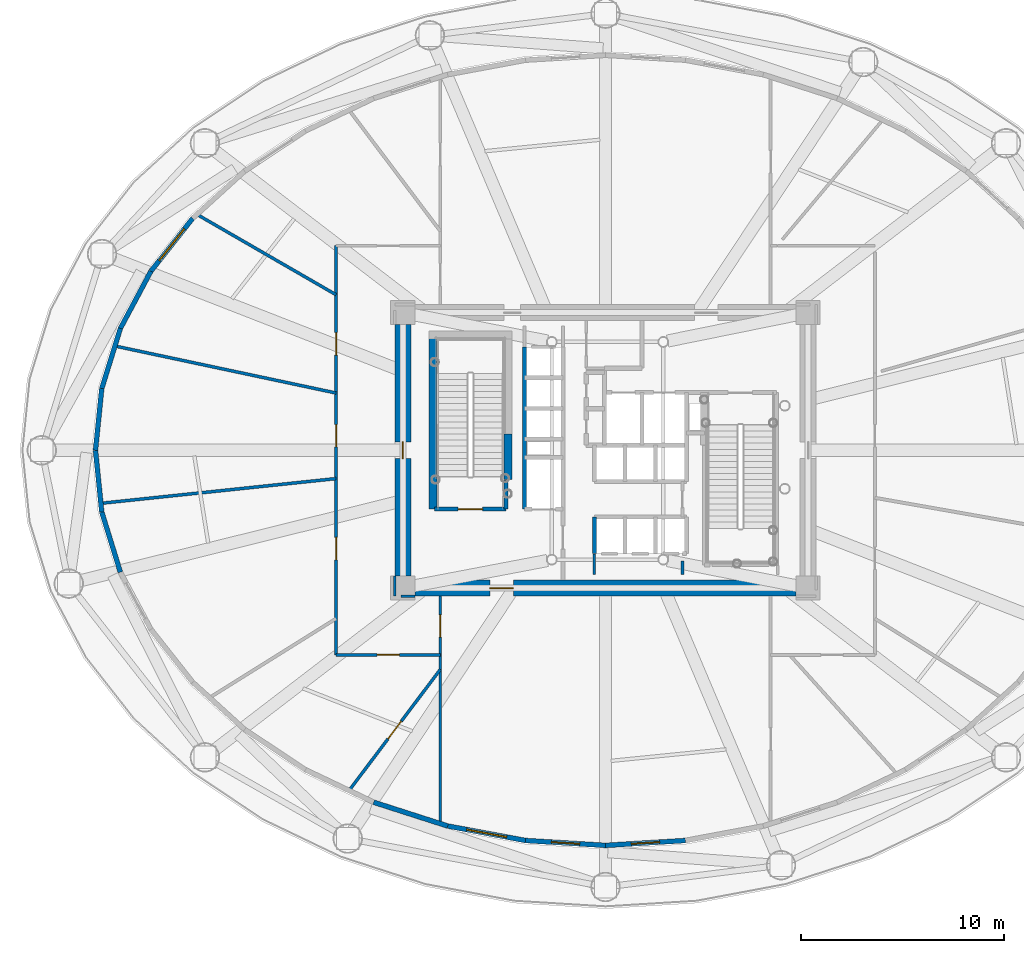
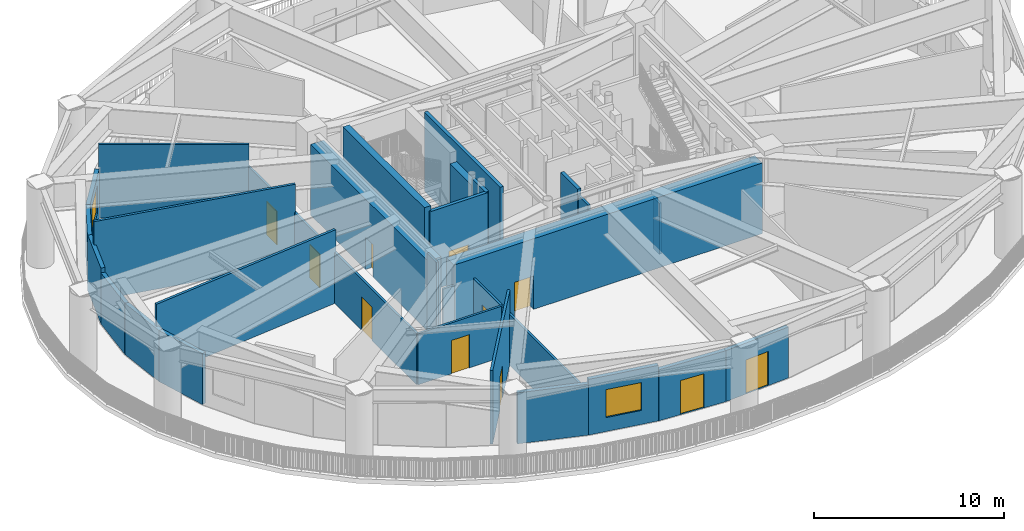
# One storey, part 5 of 15: 29 walls, 11 doors, 2 windows, 13 openings.
"""IFC4 building model written with IfcOpenShell, lengths in metres."""

import ifcopenshell
import ifcopenshell.guid

model = None  # the IFC model being written
_history = None  # IfcOwnerHistory: only IFC2X3 demands one
_inside = {}  # id of a spatial element -> (the spatial element, [elements in it])
_under = {}  # id of a project, library or spatial element -> (it, [spatial elements below it])
_declared = {}  # id of a project -> (the project, [libraries it declares])
_typed = {}  # id of a type object -> (the type object, [elements of that type])
_made_of = {}  # id of a material, layer set ... -> (it, [elements and type objects made of it])


def new_model(schema):
    """Start an empty IFC model of exactly this schema.

    Asked for "IFC4X3", IfcOpenShell would pick the latest addendum, in which some entities
    have other attributes; the version numbers below select the first issue.
    IFC2X3 requires an IfcOwnerHistory on every rooted entity: one is made here for all.
    """
    global model, _history
    if schema == "IFC4X3":
        model = ifcopenshell.file(schema_version=(4, 3, 0, 0))
    else:
        model = ifcopenshell.file(schema=schema)
    _inside.clear()
    _under.clear()
    _declared.clear()
    _typed.clear()
    _made_of.clear()
    _history = None
    if model.schema == "IFC2X3":
        org = make("IfcOrganization", Name="unknown")
        user = make(
            "IfcPersonAndOrganization",
            ThePerson=make("IfcPerson", FamilyName="unknown"),
            TheOrganization=org,
        )
        app = make(
            "IfcApplication",
            ApplicationDeveloper=org,
            Version="unknown",
            ApplicationFullName="unknown",
            ApplicationIdentifier="unknown",
        )
        _history = make(
            "IfcOwnerHistory",
            OwningUser=user,
            OwningApplication=app,
            ChangeAction="ADDED",
            CreationDate=0,
        )
    return model


def make(cls, **values):
    """One entity of the class cls with the attributes given. An attribute that is None is left unset."""
    return model.create_entity(
        cls, **{name: value for name, value in values.items() if value is not None}
    )


def rooted(cls, **values):
    """An entity with a GlobalId (a new one), such as an element, a storey or a relation."""
    return make(cls, GlobalId=ifcopenshell.guid.new(), OwnerHistory=_history, **values)


def si_unit(unit_type, name, prefix=None):
    """IfcSIUnit, for example si_unit("LENGTHUNIT", "METRE", prefix="MILLI")."""
    return make("IfcSIUnit", UnitType=unit_type, Prefix=prefix, Name=name)


def assignment(units):
    """IfcUnitAssignment: the units of a project."""
    return None if units is None else make("IfcUnitAssignment", Units=units)


def point(xyz):
    """IfcCartesianPoint."""
    return None if xyz is None else make("IfcCartesianPoint", Coordinates=xyz)


def direction(xyz):
    """IfcDirection."""
    return None if xyz is None else make("IfcDirection", DirectionRatios=xyz)


def frame(location, z_axis=None, x_axis=None):
    """IfcAxis2Placement3D, a coordinate frame: its origin and axes. An axis left out is left unset."""
    return make(
        "IfcAxis2Placement3D",
        Location=point(location),
        Axis=direction(z_axis),
        RefDirection=direction(x_axis),
    )


def frame_2d(location, x_axis=None):
    """IfcAxis2Placement2D, a coordinate frame in the plane: its origin and x axis."""
    return make(
        "IfcAxis2Placement2D", Location=point(location), RefDirection=direction(x_axis)
    )


def origin():
    """The frame at (0, 0, 0) with its axes left unset."""
    return frame((0.0, 0.0, 0.0))


def origin_2d():
    """The frame at (0, 0) in the plane with its x axis left unset."""
    return frame_2d((0.0, 0.0))


def place(relative_to, where):
    """IfcLocalPlacement: puts the frame where relative to a parent placement (None: the world)."""
    return make(
        "IfcLocalPlacement", PlacementRelTo=relative_to, RelativePlacement=where
    )


def context(
    kind, dimensions, precision=None, world=None, true_north=None, identifier=None
):
    """IfcGeometricRepresentationContext, for example the 3D "Model" context."""
    return make(
        "IfcGeometricRepresentationContext",
        ContextIdentifier=identifier,
        ContextType=kind,
        CoordinateSpaceDimension=dimensions,
        Precision=precision,
        WorldCoordinateSystem=world,
        TrueNorth=true_north,
    )


def subcontext(parent, identifier, kind, view, scale=None):
    """IfcGeometricRepresentationSubContext, for example "Body" below "Model"."""
    return make(
        "IfcGeometricRepresentationSubContext",
        ContextIdentifier=identifier,
        ContextType=kind,
        ParentContext=parent,
        TargetScale=scale,
        TargetView=view,
    )


def project(units=None, contexts=None):
    """IfcProject with its units and contexts."""
    return rooted(
        "IfcProject",
        Name="project",
        RepresentationContexts=contexts,
        UnitsInContext=assignment(units),
    )


def spatial(cls, under=None, at=None, **own):
    """A site, building, storey or space (cls), placed at a placement, below another one or the project."""
    s = rooted(cls, ObjectPlacement=at, **own)
    if under is not None:
        _under.setdefault(under.id(), (under, []))[1].append(s)
    return s


def profile(cls, at=None, kind="AREA", **sizes):
    """A parametric profile (cls). Its sizes go by their IFC names, for example OverallWidth=200.0."""
    return make(cls, ProfileType=kind, Position=at, **sizes)


def rectangle(**sizes):
    """IfcRectangleProfileDef."""
    return profile("IfcRectangleProfileDef", **sizes)


def extrude(swept, where, along, depth):
    """IfcExtrudedAreaSolid: the profile swept, set in the frame where, extruded along a direction by depth."""
    return make(
        "IfcExtrudedAreaSolid",
        SweptArea=swept,
        Position=where,
        ExtrudedDirection=direction(along),
        Depth=depth,
    )


def shape(context_of_items, identifier, shape_type, items):
    """IfcShapeRepresentation: the items that make up one representation, for example the "Body"."""
    return make(
        "IfcShapeRepresentation",
        ContextOfItems=context_of_items,
        RepresentationIdentifier=identifier,
        RepresentationType=shape_type,
        Items=items,
    )


def source(mapping_origin, context_of_items, identifier, shape_type, items):
    """IfcRepresentationMap: a shape defined once, which mapped items show again and again."""
    return make(
        "IfcRepresentationMap",
        MappingOrigin=mapping_origin,
        MappedRepresentation=shape(context_of_items, identifier, shape_type, items),
    )


def transform(
    local_origin,
    x_axis=None,
    y_axis=None,
    z_axis=None,
    scale=None,
    scale2=None,
    scale3=None,
    uniform=True,
):
    """IfcCartesianTransformationOperator3D, or its non-uniform kind. x_axis, y_axis, z_axis: its Axis1, 2, 3."""
    if uniform:
        return make(
            "IfcCartesianTransformationOperator3D",
            Axis1=direction(x_axis),
            Axis2=direction(y_axis),
            LocalOrigin=point(local_origin),
            Scale=scale,
            Axis3=direction(z_axis),
        )
    return make(
        "IfcCartesianTransformationOperator3DnonUniform",
        Axis1=direction(x_axis),
        Axis2=direction(y_axis),
        LocalOrigin=point(local_origin),
        Scale=scale,
        Axis3=direction(z_axis),
        Scale2=scale2,
        Scale3=scale3,
    )


def mapped(mapping_source, mapping_target):
    """IfcMappedItem: shows the shape of a source again, moved by a transform."""
    return make(
        "IfcMappedItem", MappingSource=mapping_source, MappingTarget=mapping_target
    )


def material(Name=None, Category=None):
    """IfcMaterial."""
    return make("IfcMaterial", Name=Name, Category=Category)


def layer(
    of_material, thickness, ventilated=None, Name=None, Category=None, Priority=None
):
    """IfcMaterialLayer: one layer of a wall or slab, of a material (None: an air gap)."""
    return make(
        "IfcMaterialLayer",
        Material=of_material,
        LayerThickness=thickness,
        IsVentilated=ventilated,
        Name=Name,
        Category=Category,
        Priority=Priority,
    )


def layer_set(layers, Name=None):
    """IfcMaterialLayerSet."""
    return make("IfcMaterialLayerSet", MaterialLayers=layers, LayerSetName=Name)


def made_of(thing, what):
    """Note that an element or type object is made of a material, layer set ...; save() writes the relation."""
    if what is not None:
        _made_of.setdefault(what.id(), (what, []))[1].append(thing)
    return thing


def type_object(cls, material=None, **own):
    """A type object (cls), such as IfcWallType, which elements share."""
    return made_of(rooted(cls, **own), material)


def element(
    cls,
    number,
    at=None,
    inside=None,
    cuts=None,
    type_object=None,
    material=None,
    context=None,
    identifier="Body",
    shape_type=None,
    held_by="IfcProductDefinitionShape",
    body=None,
    shapes=None,
    **own,
):
    """One element of the class cls, such as IfcWall. Its Tag is "e" and its number.

    at: its placement. inside: the storey or other place that contains it. cuts: it is an
    opening in that element (IfcRelVoidsElement). A single representation is given by context,
    identifier, shape_type and body (its items); several are given by shapes. held_by: the class
    of the entity that holds the representations. save() writes the other relations.
    """
    e = rooted(cls, Tag="e%d" % number, ObjectPlacement=at, **own)
    if body is not None:
        shapes = [shape(context, identifier, shape_type, body)]
    if shapes is not None:
        e.Representation = make(held_by, Representations=shapes)
    if inside is not None:
        _inside.setdefault(inside.id(), (inside, []))[1].append(e)
    if cuts is not None:
        rooted(
            "IfcRelVoidsElement", RelatingBuildingElement=cuts, RelatedOpeningElement=e
        )
    if type_object is not None:
        _typed.setdefault(type_object.id(), (type_object, []))[1].append(e)
    return made_of(e, material)


def fill(opening, filler):
    """IfcRelFillsElement: the door or window that sits in an opening."""
    return rooted(
        "IfcRelFillsElement",
        RelatingOpeningElement=opening,
        RelatedBuildingElement=filler,
    )


def aggregate(whole, parts):
    """IfcRelAggregates: a whole, such as a stair, and the parts it consists of."""
    return rooted("IfcRelAggregates", RelatingObject=whole, RelatedObjects=parts)


def save(model, path):
    """Write the relations noted so far, then the file.

    IfcRelAggregates (storeys below a building ...), IfcRelContainedInSpatialStructure (elements
    in a storey), IfcRelDefinesByType, IfcRelAssociatesMaterial and IfcRelDeclares: one each for
    every whole, place, type object, material and project.
    """
    for whole, parts in _under.values():
        aggregate(whole, parts)
    for where, things in _inside.values():
        rooted(
            "IfcRelContainedInSpatialStructure",
            RelatedElements=things,
            RelatingStructure=where,
        )
    for kind, things in _typed.values():
        rooted("IfcRelDefinesByType", RelatedObjects=things, RelatingType=kind)
    for what, things in _made_of.values():
        rooted("IfcRelAssociatesMaterial", RelatedObjects=things, RelatingMaterial=what)
    for by, libraries in _declared.values():
        rooted("IfcRelDeclares", RelatingContext=by, RelatedDefinitions=libraries)
    model.write(path)


model = new_model("IFC4")

# Units and contexts
model_context = context("Model", 3, precision=1e-05, world=origin(), true_north=direction((0.0, 1.0)))
body_context = subcontext(model_context, "Body", "Model", "MODEL_VIEW")
ifc_project = project(units=[si_unit("LENGTHUNIT", "METRE"), si_unit("AREAUNIT", "SQUARE_METRE"), si_unit("VOLUMEUNIT", "CUBIC_METRE"), si_unit("PLANEANGLEUNIT", "RADIAN"), si_unit("MASSUNIT", "GRAM", prefix="KILO")], contexts=[model_context])

# Site, building, storey
site_placement = place(None, origin())
site = spatial("IfcSite", under=ifc_project, at=site_placement, CompositionType="ELEMENT")
building_placement = place(site_placement, origin())
building = spatial("IfcBuilding", under=site, at=building_placement, Name="Linh Dai School and Residence Tower", CompositionType="ELEMENT")
storey_placement = place(building_placement, frame((0.0, 0.0, 145.949951171875)))
storey = spatial("IfcBuildingStorey", under=building, at=storey_placement, Name="L35", CompositionType="ELEMENT", Elevation=145.949951171875)

# Wall, opening, window
ifc_material_1 = material(Name="Precast Concrete B45 (C35/45)", Category="concrete")
ifc_layer_1 = layer(ifc_material_1, 0.239990234375)
ifc_layer_set_1 = layer_set([ifc_layer_1], Name="Precast Concrete B45 (C35/45)")
wall_type_1 = type_object("IfcWallType", Name="EW-TC-240", PredefinedType="SOLIDWALL", material=ifc_layer_set_1)
wall_1_placement = place(storey_placement, frame((13.56201171875, 35.84326171875, 0.0), z_axis=(0.0, 0.0, 1.0), x_axis=(0.619794245312, 0.784764355382, 0.0)))
wall_1 = element("IfcWall", 1, at=wall_1_placement, inside=storey, type_object=wall_type_1, Name="L35 Terracotta Exterior Wall 17", PredefinedType="SOLIDWALL", context=body_context, shape_type="SweptSolid", body=[
    extrude(rectangle(XDim=3.325439453125, YDim=0.239990234375, at=frame_2d((1.66259765625, 0.0))), origin(), (0.0, 0.0, 1.0), 3.28515625),
])
opening_1_placement = place(wall_1_placement, frame((0.66259765625, 0.0, 0.89990234375)))
opening_1 = element("IfcOpeningElement", 2, at=opening_1_placement, cuts=wall_1, Name="Opening W5", PredefinedType="OPENING", context=body_context, shape_type="SweptSolid", body=[
    extrude(rectangle(XDim=2.0, YDim=1.800048828125, at=origin_2d()), frame((1.0, 0.1298828125, 0.89990234375), z_axis=(0.0, -1.0, 0.0), x_axis=(1.0, 0.0, 0.0)), (0.0, 0.0, 1.0), 0.260009765625),
])
ifc_material_2 = material(Name="Anodised Aluminium Weather Louvre", Category="aluminium")
window_type = type_object("IfcWindowType", Name="WN-LV-2000x1800", PartitioningType="SINGLE_PANEL", PredefinedType="USERDEFINED", material=ifc_material_2)
shared_shape_1 = source(origin(), body_context, "Body", "SweptSolid", [
    extrude(rectangle(XDim=2.0, YDim=1.800048828125, at=origin_2d()), frame((1.0, 0.030029296875, 0.89990234375), z_axis=(0.0, -1.0, 0.0), x_axis=(1.0, 0.0, 0.0)), (0.0, 0.0, 1.0), 0.06005859375),
])
window_1_placement = place(opening_1_placement, origin())
window_1 = element("IfcWindow", 3, at=window_1_placement, inside=storey, type_object=window_type, Name="L35 Plant Weather Louvre 17", ObjectType="LOUVRE VENT", OverallHeight=1.800048828125, OverallWidth=2.0, PartitioningType="SINGLE_PANEL", PredefinedType="USERDEFINED", context=body_context, shape_type="MappedRepresentation", body=[
    mapped(shared_shape_1, transform((0.0, 0.0, 0.0), x_axis=(1.0, 0.0, 0.0), y_axis=(0.0, 1.0, 0.0), z_axis=(0.0, 0.0, 1.0), scale=1.0)),
])
fill(opening_1, window_1)

# Walls
wall_2_placement = place(storey_placement, frame((12.053466796875, 33.017822265625, 0.0), z_axis=(0.0, 0.0, 1.0), x_axis=(0.470987769323, 0.882139740148, 0.0)))
element("IfcWall", 4, at=wall_2_placement, inside=storey, type_object=wall_type_1, Name="L35 Terracotta Exterior Wall 18", PredefinedType="SOLIDWALL", context=body_context, shape_type="SweptSolid", body=[
    extrude(rectangle(XDim=3.202880859375, YDim=0.239990234375, at=frame_2d((1.6015625, 0.0))), origin(), (0.0, 0.0, 1.0), 3.28515625),
])
wall_3_placement = place(storey_placement, frame((11.134033203125, 30.0458984375, 0.0), z_axis=(0.0, 0.0, 1.0), x_axis=(0.295552425989, 0.955326521924, 0.0)))
element("IfcWall", 5, at=wall_3_placement, inside=storey, type_object=wall_type_1, Name="L35 Terracotta Exterior Wall 19", PredefinedType="SOLIDWALL", context=body_context, shape_type="SweptSolid", body=[
    extrude(rectangle(XDim=3.11083984375, YDim=0.239990234375, at=frame_2d((1.555419921875, 0.0))), origin(), (0.0, 0.0, 1.0), 3.5849609375),
])
for number, where, z_axis, x_axis, name in (
    (6, (10.824951171875, 27.0, 0.0), (0.0, 0.0, 1.0), (0.100956381824, 0.994890852792, 0.0), "L35 Terracotta Exterior Wall 20"),
    (7, (11.134033203125, 23.9541015625, 0.0), (0.0, 0.0, 1.0), (-0.100956381824, 0.994890852792, 0.0), "L35 Terracotta Exterior Wall 21"),
):
    element("IfcWall", number, at=place(storey_placement, frame(where, z_axis=z_axis, x_axis=x_axis)), inside=storey, type_object=wall_type_1, Name=name, PredefinedType="SOLIDWALL", context=body_context, shape_type="SweptSolid", body=[
        extrude(rectangle(XDim=3.0615234375, YDim=0.239990234375, at=frame_2d((1.53076171875, 0.0))), origin(), (0.0, 0.0, 1.0), 3.28515625),
    ])
wall_4_placement = place(storey_placement, frame((12.053466796875, 20.982177734375, 0.0), z_axis=(0.0, 0.0, 1.0), x_axis=(-0.295552425989, 0.955326521924, 0.0)))
element("IfcWall", 8, at=wall_4_placement, inside=storey, type_object=wall_type_1, Name="L35 Terracotta Exterior Wall 22", PredefinedType="SOLIDWALL", context=body_context, shape_type="SweptSolid", body=[
    extrude(rectangle(XDim=3.11083984375, YDim=0.239990234375, at=frame_2d((1.555419921875, 0.0))), origin(), (0.0, 0.0, 1.0), 3.28515625),
])
wall_5_placement = place(storey_placement, frame((28.21240234375, 8.451904296875, 0.0), z_axis=(0.0, 0.0, 1.0), x_axis=(-0.95203915495, 0.305976220388, 0.0)))
element("IfcWall", 9, at=wall_5_placement, inside=storey, type_object=wall_type_1, Name="L35 Terracotta Exterior Wall 28", PredefinedType="SOLIDWALL", context=body_context, shape_type="SweptSolid", body=[
    extrude(rectangle(XDim=3.83642578125, YDim=0.239990234375, at=frame_2d((1.918212890625, 0.0))), origin(), (0.0, 0.0, 1.0), 3.28515625),
])

# Wall, opening, window
wall_6_placement = place(storey_placement, frame((32.057373046875, 7.73583984375, 0.0), z_axis=(0.0, 0.0, 1.0), x_axis=(-0.983096880392, 0.183086110241, 0.0)))
wall_6 = element("IfcWall", 10, at=wall_6_placement, inside=storey, type_object=wall_type_1, Name="L35 Terracotta Exterior Wall 29", PredefinedType="SOLIDWALL", context=body_context, shape_type="SweptSolid", body=[
    extrude(rectangle(XDim=3.9111328125, YDim=0.239990234375, at=frame_2d((1.95556640625, 0.0))), origin(), (0.0, 0.0, 1.0), 3.5849609375),
])
opening_2_placement = place(wall_6_placement, frame((0.95556640625, 0.0, 0.89990234375)))
opening_2 = element("IfcOpeningElement", 11, at=opening_2_placement, cuts=wall_6, Name="Opening W5", PredefinedType="OPENING", context=body_context, shape_type="SweptSolid", body=[
    extrude(rectangle(XDim=2.0, YDim=1.800048828125, at=origin_2d()), frame((1.0, 0.1298828125, 0.89990234375), z_axis=(0.0, -1.0, 0.0), x_axis=(1.0, 0.0, 0.0)), (0.0, 0.0, 1.0), 0.260009765625),
])
window_2_placement = place(opening_2_placement, origin())
window_2 = element("IfcWindow", 12, at=window_2_placement, inside=storey, type_object=window_type, Name="L35 Plant Weather Louvre 29", ObjectType="LOUVRE VENT", OverallHeight=1.800048828125, OverallWidth=2.0, PartitioningType="SINGLE_PANEL", PredefinedType="USERDEFINED", context=body_context, shape_type="MappedRepresentation", body=[
    mapped(shared_shape_1, transform((0.0, 0.0, 0.0), x_axis=(1.0, 0.0, 0.0), y_axis=(0.0, 1.0, 0.0), z_axis=(0.0, 0.0, 1.0), scale=1.0)),
])
fill(opening_2, window_2)

# Wall, opening, door
wall_7_placement = place(storey_placement, frame((36.0, 7.4951171875, 0.0), z_axis=(0.0, 0.0, 1.0), x_axis=(-0.998141252554, 0.060942923712, 0.0)))
wall_7 = element("IfcWall", 13, at=wall_7_placement, inside=storey, type_object=wall_type_1, Name="L35 Terracotta Exterior Wall 30", PredefinedType="SOLIDWALL", context=body_context, shape_type="SweptSolid", body=[
    extrude(rectangle(XDim=3.949951171875, YDim=0.239990234375, at=frame_2d((1.97509765625, 0.0))), origin(), (0.0, 0.0, 1.0), 3.28515625),
])
opening_3_placement = place(wall_7_placement, frame((1.27490234375, 0.0, 0.0)))
opening_3 = element("IfcOpeningElement", 14, at=opening_3_placement, cuts=wall_7, Name="Opening DD1", PredefinedType="OPENING", context=body_context, shape_type="SweptSolid", body=[
    extrude(rectangle(XDim=1.39990234375, YDim=2.199951171875, at=origin_2d()), frame((0.699951171875, 0.1298828125, 1.10009765625), z_axis=(0.0, -1.0, 0.0), x_axis=(1.0, 0.0, 0.0)), (0.0, 0.0, 1.0), 0.260009765625),
])
ifc_material_3 = material(Name="Glazed Aluminium Terrace Door", Category="aluminium")
door_type_1 = type_object("IfcDoorType", Name="DR-DECK-1400x2200", OperationType="NOTDEFINED", PredefinedType="DOOR", material=ifc_material_3)
shared_shape_2 = source(origin(), body_context, "Body", "SweptSolid", [
    extrude(rectangle(XDim=1.39990234375, YDim=2.199951171875, at=origin_2d()), frame((0.699951171875, 0.02490234375, 1.10009765625), z_axis=(0.0, -1.0, 0.0), x_axis=(1.0, 0.0, 0.0)), (0.0, 0.0, 1.0), 0.050048828125),
])
door_1_placement = place(opening_3_placement, origin())
door_1 = element("IfcDoor", 15, at=door_1_placement, inside=storey, type_object=door_type_1, Name="L35 Outdoor Terrace Access Door 30", OperationType="SINGLE_SWING_RIGHT", OverallHeight=2.199951171875, OverallWidth=1.39990234375, PredefinedType="DOOR", context=body_context, shape_type="MappedRepresentation", body=[
    mapped(shared_shape_2, transform((0.0, 0.0, 0.0), x_axis=(1.0, 0.0, 0.0), y_axis=(0.0, 1.0, 0.0), z_axis=(0.0, 0.0, 1.0), scale=1.0)),
])
fill(opening_3, door_1)

wall_8_placement = place(storey_placement, frame((39.942626953125, 7.73583984375, 0.0), z_axis=(0.0, 0.0, 1.0), x_axis=(-0.998141252554, -0.060942923712, 0.0)))
wall_8 = element("IfcWall", 16, at=wall_8_placement, inside=storey, type_object=wall_type_1, Name="L35 Terracotta Exterior Wall 31", PredefinedType="SOLIDWALL", context=body_context, shape_type="SweptSolid", body=[
    extrude(rectangle(XDim=3.949951171875, YDim=0.239990234375, at=frame_2d((1.97509765625, 0.0))), origin(), (0.0, 0.0, 1.0), 3.28515625),
])
opening_4_placement = place(wall_8_placement, frame((1.27490234375, 0.0, 0.0)))
opening_4 = element("IfcOpeningElement", 17, at=opening_4_placement, cuts=wall_8, Name="Opening DD1", PredefinedType="OPENING", context=body_context, shape_type="SweptSolid", body=[
    extrude(rectangle(XDim=1.39990234375, YDim=2.199951171875, at=origin_2d()), frame((0.699951171875, 0.1298828125, 1.10009765625), z_axis=(0.0, -1.0, 0.0), x_axis=(1.0, 0.0, 0.0)), (0.0, 0.0, 1.0), 0.260009765625),
])
door_2_placement = place(opening_4_placement, origin())
door_2 = element("IfcDoor", 18, at=door_2_placement, inside=storey, type_object=door_type_1, Name="L35 Outdoor Terrace Access Door 31", OperationType="SINGLE_SWING_LEFT", OverallHeight=2.199951171875, OverallWidth=1.39990234375, PredefinedType="DOOR", context=body_context, shape_type="MappedRepresentation", body=[
    mapped(shared_shape_2, transform((0.0, 0.0, 0.0), x_axis=(1.0, 0.0, 0.0), y_axis=(0.0, 1.0, 0.0), z_axis=(0.0, 0.0, 1.0), scale=1.0)),
])
fill(opening_4, door_2)

# Wall, openings, doors
ifc_material_4 = material(Name="Autoclaved Aerated Concrete Blockwork", Category="masonry")
ifc_layer_2 = layer(ifc_material_4, 0.135009765625)
ifc_layer_set_2 = layer_set([ifc_layer_2], Name="Autoclaved Aerated Concrete Blockwork")
wall_type_2 = type_object("IfcWallType", Name="IW-CORR-135-EI90", PredefinedType="PARTITIONING", material=ifc_layer_set_2)
wall_9_placement = place(storey_placement, frame((22.699951171875, 16.89990234375, 0.0), z_axis=(0.0, 0.0, 1.0), x_axis=(0.0, 1.0, 0.0)))
wall_9 = element("IfcWall", 19, at=wall_9_placement, inside=storey, type_object=wall_type_2, Name="L35 Interior Partition Wall 005", PredefinedType="PARTITIONING", context=body_context, shape_type="SweptSolid", body=[
    extrude(rectangle(XDim=20.2001953125, YDim=0.135009765625, at=frame_2d((10.10009765625, 0.0))), origin(), (0.0, 0.0, 1.0), 3.28515625),
])
opening_5_placement = place(wall_9_placement, frame((14.802978515625, 0.0, 0.0)))
opening_5 = element("IfcOpeningElement", 20, at=opening_5_placement, cuts=wall_9, Name="Opening D07", PredefinedType="OPENING", context=body_context, shape_type="SweptSolid", body=[
    extrude(rectangle(XDim=1.10009765625, YDim=2.14990234375, at=origin_2d()), frame((0.550048828125, 0.07763671875, 1.074951171875), z_axis=(0.0, -1.0, 0.0), x_axis=(1.0, 0.0, 0.0)), (0.0, 0.0, 1.0), 0.155029296875),
])
opening_6_placement = place(wall_9_placement, frame((10.2646484375, 0.0, 0.0)))
opening_6 = element("IfcOpeningElement", 21, at=opening_6_placement, cuts=wall_9, Name="Opening D07", PredefinedType="OPENING", context=body_context, shape_type="SweptSolid", body=[
    extrude(rectangle(XDim=1.10009765625, YDim=2.14990234375, at=origin_2d()), frame((0.550048828125, 0.07763671875, 1.074951171875), z_axis=(0.0, -1.0, 0.0), x_axis=(1.0, 0.0, 0.0)), (0.0, 0.0, 1.0), 0.155029296875),
])
opening_7_placement = place(wall_9_placement, frame((4.69580078125, 0.0, 0.0)))
opening_7 = element("IfcOpeningElement", 22, at=opening_7_placement, cuts=wall_9, Name="Opening D07", PredefinedType="OPENING", context=body_context, shape_type="SweptSolid", body=[
    extrude(rectangle(XDim=1.10009765625, YDim=2.14990234375, at=origin_2d()), frame((0.550048828125, 0.07763671875, 1.074951171875), z_axis=(0.0, -1.0, 0.0), x_axis=(1.0, 0.0, 0.0)), (0.0, 0.0, 1.0), 0.155029296875),
])
ifc_material_5 = material(Name="Fire-Rated Louvred Steel Plant Door", Category="steel")
door_type_2 = type_object("IfcDoorType", Name="DR-PLT-1100x2150-FD60S", OperationType="NOTDEFINED", PredefinedType="DOOR", material=ifc_material_5)
shared_shape_3 = source(origin(), body_context, "Body", "SweptSolid", [
    extrude(rectangle(XDim=1.10009765625, YDim=2.14990234375, at=origin_2d()), frame((0.550048828125, 0.02490234375, 1.074951171875), z_axis=(0.0, -1.0, 0.0), x_axis=(1.0, 0.0, 0.0)), (0.0, 0.0, 1.0), 0.050048828125),
])
door_3_placement = place(opening_5_placement, origin())
door_3 = element("IfcDoor", 23, at=door_3_placement, inside=storey, type_object=door_type_2, Name="L35 Heat-Recovery Ventilation Plant Room West 1 Door", OperationType="SINGLE_SWING_RIGHT", OverallHeight=2.14990234375, OverallWidth=1.10009765625, PredefinedType="DOOR", context=body_context, shape_type="MappedRepresentation", body=[
    mapped(shared_shape_3, transform((0.0, 0.0, 0.0), x_axis=(1.0, 0.0, 0.0), y_axis=(0.0, 1.0, 0.0), z_axis=(0.0, 0.0, 1.0), scale=1.0)),
])
fill(opening_5, door_3)
door_4_placement = place(opening_6_placement, origin())
door_4 = element("IfcDoor", 24, at=door_4_placement, inside=storey, type_object=door_type_2, Name="L35 Chilled-Water Heat-Exchanger Plant Room West Door", OperationType="SINGLE_SWING_LEFT", OverallHeight=2.14990234375, OverallWidth=1.10009765625, PredefinedType="DOOR", context=body_context, shape_type="MappedRepresentation", body=[
    mapped(shared_shape_3, transform((0.0, 0.0, 0.0), x_axis=(1.0, 0.0, 0.0), y_axis=(0.0, 1.0, 0.0), z_axis=(0.0, 0.0, 1.0), scale=1.0)),
])
fill(opening_6, door_4)
door_5_placement = place(opening_7_placement, origin())
door_5 = element("IfcDoor", 25, at=door_5_placement, inside=storey, type_object=door_type_2, Name="L35 Heat-Recovery Ventilation Plant Room West 2 Door", OperationType="SINGLE_SWING_RIGHT", OverallHeight=2.14990234375, OverallWidth=1.10009765625, PredefinedType="DOOR", context=body_context, shape_type="MappedRepresentation", body=[
    mapped(shared_shape_3, transform((0.0, 0.0, 0.0), x_axis=(1.0, 0.0, 0.0), y_axis=(0.0, 1.0, 0.0), z_axis=(0.0, 0.0, 1.0), scale=1.0)),
])
fill(opening_7, door_5)

# Wall, opening, door
wall_10_placement = place(storey_placement, frame((22.699951171875, 16.89990234375, 0.0), z_axis=(0.0, 0.0, 1.0), x_axis=(1.0, 0.0, 0.0)))
wall_10 = element("IfcWall", 26, at=wall_10_placement, inside=storey, type_object=wall_type_2, Name="L35 Interior Partition Wall 006", PredefinedType="PARTITIONING", context=body_context, shape_type="SweptSolid", body=[
    extrude(rectangle(XDim=5.150146484375, YDim=0.135009765625, at=frame_2d((2.5751953125, 0.0))), origin(), (0.0, 0.0, 1.0), 3.28515625),
])
opening_8_placement = place(wall_10_placement, frame((2.02490234375, 0.0, 0.0)))
opening_8 = element("IfcOpeningElement", 27, at=opening_8_placement, cuts=wall_10, Name="Opening D07", PredefinedType="OPENING", context=body_context, shape_type="SweptSolid", body=[
    extrude(rectangle(XDim=1.10009765625, YDim=2.14990234375, at=origin_2d()), frame((0.550048828125, 0.07763671875, 1.074951171875), z_axis=(0.0, -1.0, 0.0), x_axis=(1.0, 0.0, 0.0)), (0.0, 0.0, 1.0), 0.155029296875),
])
door_6_placement = place(opening_8_placement, origin())
door_6 = element("IfcDoor", 28, at=door_6_placement, inside=storey, type_object=door_type_2, Name="L35 Stair Pressurisation Fan Plant Room Door", OperationType="SINGLE_SWING_LEFT", OverallHeight=2.14990234375, OverallWidth=1.10009765625, PredefinedType="DOOR", context=body_context, shape_type="MappedRepresentation", body=[
    mapped(shared_shape_3, transform((0.0, 0.0, 0.0), x_axis=(1.0, 0.0, 0.0), y_axis=(0.0, 1.0, 0.0), z_axis=(0.0, 0.0, 1.0), scale=1.0)),
])
fill(opening_8, door_6)

wall_11_placement = place(storey_placement, frame((27.85009765625, 8.563232421875, 0.0), z_axis=(0.0, 0.0, 1.0), x_axis=(0.0, 1.0, 0.0)))
wall_11 = element("IfcWall", 29, at=wall_11_placement, inside=storey, type_object=wall_type_2, Name="L35 Interior Partition Wall 011", PredefinedType="PARTITIONING", context=body_context, shape_type="SweptSolid", body=[
    extrude(rectangle(XDim=11.23681640625, YDim=0.135009765625, at=frame_2d((5.618408203125, 0.0))), origin(), (0.0, 0.0, 1.0), 3.28515625),
])
opening_9_placement = place(wall_11_placement, frame((9.216796875, 0.0, 0.0)))
opening_9 = element("IfcOpeningElement", 30, at=opening_9_placement, cuts=wall_11, Name="Opening D07", PredefinedType="OPENING", context=body_context, shape_type="SweptSolid", body=[
    extrude(rectangle(XDim=1.10009765625, YDim=2.14990234375, at=origin_2d()), frame((0.550048828125, 0.07763671875, 1.074951171875), z_axis=(0.0, -1.0, 0.0), x_axis=(1.0, 0.0, 0.0)), (0.0, 0.0, 1.0), 0.155029296875),
])
door_7_placement = place(opening_9_placement, origin())
door_7 = element("IfcDoor", 31, at=door_7_placement, inside=storey, type_object=door_type_2, Name="L35 Pressurised Fire Refuge Area South Corridor Door", OperationType="SINGLE_SWING_LEFT", OverallHeight=2.14990234375, OverallWidth=1.10009765625, PredefinedType="DOOR", context=body_context, shape_type="MappedRepresentation", body=[
    mapped(shared_shape_3, transform((0.0, 0.0, 0.0), x_axis=(1.0, 0.0, 0.0), y_axis=(0.0, 1.0, 0.0), z_axis=(0.0, 0.0, 1.0), scale=1.0)),
])
fill(opening_9, door_7)

# Walls
wall_12_placement = place(storey_placement, frame((39.800048828125, 20.860107421875, 0.0), z_axis=(0.0, 0.0, 1.0), x_axis=(0.0, 1.0, 0.0)))
element("IfcWall", 32, at=wall_12_placement, inside=storey, type_object=wall_type_2, Name="L35 Interior Partition Wall 061", PredefinedType="PARTITIONING", context=body_context, shape_type="SweptSolid", body=[
    extrude(rectangle(XDim=0.679931640625, YDim=0.135009765625, at=frame_2d((0.33984375, 0.0))), origin(), (0.0, 0.0, 1.0), 3.28515625),
])
wall_13_placement = place(storey_placement, frame((35.449951171875, 21.889892578125, 0.0), z_axis=(0.0, 0.0, 1.0), x_axis=(0.0, -1.0, 0.0)))
element("IfcWall", 33, at=wall_13_placement, inside=storey, type_object=wall_type_2, Name="L35 Interior Partition Wall 064", PredefinedType="PARTITIONING", context=body_context, shape_type="SweptSolid", body=[
    extrude(rectangle(XDim=1.02978515625, YDim=0.135009765625, at=frame_2d((0.514892578125, 0.0))), origin(), (0.0, 0.0, 1.0), 4.68505859375),
])
wall_14_placement = place(storey_placement, frame((25.60009765625, 20.7900390625, 0.0), z_axis=(0.0, 0.0, 1.0), x_axis=(0.0, -1.0, 0.0)))
element("IfcWall", 34, at=wall_14_placement, inside=storey, type_object=wall_type_2, Name="L35 Interior Partition Wall 068", PredefinedType="PARTITIONING", context=body_context, shape_type="SweptSolid", body=[
    extrude(rectangle(XDim=0.989990234375, YDim=0.135009765625, at=frame_2d((0.4951171875, 0.0))), origin(), (0.0, 0.0, 1.0), 5.10009765625),
])
wall_15_placement = place(storey_placement, frame((25.907470703125, 19.800048828125, 0.0), z_axis=(0.0, 0.0, 1.0), x_axis=(1.0, 0.0, 0.0)))
element("IfcWall", 35, at=wall_15_placement, inside=storey, type_object=wall_type_2, Name="L35 Interior Partition Wall 069", PredefinedType="PARTITIONING", context=body_context, shape_type="SweptSolid", body=[
    extrude(rectangle(XDim=0.6826171875, YDim=0.135009765625, at=frame_2d((0.34130859375, 0.0))), origin(), (0.0, 0.0, 1.0), 3.28515625),
])
ifc_layer_3 = layer(ifc_material_4, 0.14990234375)
ifc_layer_set_3 = layer_set([ifc_layer_3], Name="Autoclaved Aerated Concrete Blockwork")
wall_type_3 = type_object("IfcWallType", Name="IW-SCH-150-EI60", PredefinedType="PARTITIONING", material=ifc_layer_set_3)
wall_16_placement = place(storey_placement, frame((11.085693359375, 24.38134765625, 0.0), z_axis=(0.0, 0.0, 1.0), x_axis=(0.994521935965, 0.104528077016, 0.0)))
element("IfcWall", 36, at=wall_16_placement, inside=storey, type_object=wall_type_3, Name="L35 Interior Partition Wall 001", PredefinedType="PARTITIONING", context=body_context, shape_type="SweptSolid", body=[
    extrude(rectangle(XDim=11.67822265625, YDim=0.14990234375, at=frame_2d((5.839111328125, 0.0))), origin(), (0.0, 0.0, 1.0), 4.72509765625),
])
wall_17_placement = place(storey_placement, frame((11.779296875, 32.148193359375, 0.0), z_axis=(0.0, 0.0, 1.0), x_axis=(0.978147011754, -0.207914461732, 0.0)))
element("IfcWall", 37, at=wall_17_placement, inside=storey, type_object=wall_type_3, Name="L35 Interior Partition Wall 002", PredefinedType="PARTITIONING", context=body_context, shape_type="SweptSolid", body=[
    extrude(rectangle(XDim=11.16455078125, YDim=0.14990234375, at=frame_2d((5.582275390625, 0.0))), origin(), (0.0, 0.0, 1.0), 5.10009765625),
])
wall_18_placement = place(storey_placement, frame((15.828369140625, 38.64599609375, 0.0), z_axis=(0.0, 0.0, 1.0), x_axis=(0.866026745137, -0.499997676703, 0.0)))
element("IfcWall", 38, at=wall_18_placement, inside=storey, type_object=wall_type_3, Name="L35 Interior Partition Wall 003", PredefinedType="PARTITIONING", context=body_context, shape_type="SweptSolid", body=[
    extrude(rectangle(XDim=7.9345703125, YDim=0.14990234375, at=frame_2d((3.96728515625, 0.0))), origin(), (0.0, 0.0, 1.0), 4.72509765625),
])

# Wall, opening, door
wall_19_placement = place(storey_placement, frame((23.34033203125, 10.2001953125, 0.0), z_axis=(0.0, 0.0, 1.0), x_axis=(0.601833374901, 0.798621680682, 0.0)))
wall_19 = element("IfcWall", 39, at=wall_19_placement, inside=storey, type_object=wall_type_3, Name="L35 Interior Partition Wall 008", PredefinedType="PARTITIONING", context=body_context, shape_type="SweptSolid", body=[
    extrude(rectangle(XDim=7.493408203125, YDim=0.14990234375, at=frame_2d((3.74658203125, 0.0))), origin(), (0.0, 0.0, 1.0), 4.72509765625),
])
opening_10_placement = place(wall_19_placement, frame((3.19677734375, 0.0, 0.0)))
opening_10 = element("IfcOpeningElement", 40, at=opening_10_placement, cuts=wall_19, Name="Opening D07", PredefinedType="OPENING", context=body_context, shape_type="SweptSolid", body=[
    extrude(rectangle(XDim=1.10009765625, YDim=2.14990234375, at=origin_2d()), frame((0.550048828125, 0.0849609375, 1.074951171875), z_axis=(0.0, -1.0, 0.0), x_axis=(1.0, 0.0, 0.0)), (0.0, 0.0, 1.0), 0.169921875),
])
door_8_placement = place(opening_10_placement, origin())
door_8 = element("IfcDoor", 41, at=door_8_placement, inside=storey, type_object=door_type_2, Name="L35 Smoke Extract Fan Plant Room Door", OperationType="SINGLE_SWING_RIGHT", OverallHeight=2.14990234375, OverallWidth=1.10009765625, PredefinedType="DOOR", context=body_context, shape_type="MappedRepresentation", body=[
    mapped(shared_shape_3, transform((0.0, 0.0, 0.0), x_axis=(1.0, 0.0, 0.0), y_axis=(0.0, 1.0, 0.0), z_axis=(0.0, 0.0, 1.0), scale=1.0)),
])
fill(opening_10, door_8)

ifc_material_6 = material(Name="Concrete B45 (C35/45)", Category="concrete")
ifc_layer_4 = layer(ifc_material_6, 0.199951171875)
ifc_layer_set_4 = layer_set([ifc_layer_4], Name="Concrete B45 (C35/45)")
wall_type_4 = type_object("IfcWallType", Name="IW-SHAFT-200-EI120", PredefinedType="PARTITIONING", material=ifc_layer_set_4)
wall_20_placement = place(storey_placement, frame((27.56005859375, 24.10009765625, 0.0), z_axis=(0.0, 0.0, 1.0), x_axis=(1.0, 0.0, 0.0)))
wall_20 = element("IfcWall", 42, at=wall_20_placement, inside=storey, type_object=wall_type_4, Name="L35 Interior Partition Wall 010", PredefinedType="PARTITIONING", context=body_context, shape_type="SweptSolid", body=[
    extrude(rectangle(XDim=3.5400390625, YDim=0.199951171875, at=frame_2d((1.77001953125, 0.0))), origin(), (0.0, 0.0, 1.0), 5.10009765625),
])
opening_11_placement = place(wall_20_placement, frame((1.169921875, 0.0, 0.0)))
opening_11 = element("IfcOpeningElement", 43, at=opening_11_placement, cuts=wall_20, Name="Opening D01", PredefinedType="OPENING", context=body_context, shape_type="SweptSolid", body=[
    extrude(rectangle(XDim=1.199951171875, YDim=2.14990234375, at=origin_2d()), frame((0.60009765625, 0.10986328125, 1.074951171875), z_axis=(0.0, -1.0, 0.0), x_axis=(1.0, 0.0, 0.0)), (0.0, 0.0, 1.0), 0.219970703125),
])
ifc_material_7 = material(Name="Fire-Rated Steel Door Leaf", Category="steel")
door_type_3 = type_object("IfcDoorType", Name="DR-STAIR-1200x2150-FD90S", OperationType="NOTDEFINED", PredefinedType="DOOR", material=ifc_material_7)
shared_shape_4 = source(origin(), body_context, "Body", "SweptSolid", [
    extrude(rectangle(XDim=1.199951171875, YDim=2.14990234375, at=origin_2d()), frame((0.60009765625, 0.02490234375, 1.074951171875), z_axis=(0.0, -1.0, 0.0), x_axis=(1.0, 0.0, 0.0)), (0.0, 0.0, 1.0), 0.050048828125),
])
door_9_placement = place(opening_11_placement, origin())
door_9 = element("IfcDoor", 44, at=door_9_placement, inside=storey, type_object=door_type_3, Name="L35 Core Smokeproof Exit Stair ST1 Door", OperationType="SINGLE_SWING_LEFT", OverallHeight=2.14990234375, OverallWidth=1.199951171875, PredefinedType="DOOR", context=body_context, shape_type="MappedRepresentation", body=[
    mapped(shared_shape_4, transform((0.0, 0.0, 0.0), x_axis=(1.0, 0.0, 0.0), y_axis=(0.0, 1.0, 0.0), z_axis=(0.0, 0.0, 1.0), scale=1.0)),
])
fill(opening_11, door_9)

# Walls
wall_21_placement = place(storey_placement, frame((31.10009765625, 24.10009765625, 0.0), z_axis=(0.0, 0.0, 1.0), x_axis=(0.0, 1.0, 0.0)))
element("IfcWall", 45, at=wall_21_placement, inside=storey, type_object=wall_type_4, Name="L35 Interior Partition Wall 013", PredefinedType="PARTITIONING", context=body_context, shape_type="SweptSolid", body=[
    extrude(rectangle(XDim=1.43994140625, YDim=0.199951171875, at=frame_2d((0.719970703125, 0.0))), origin(), (0.0, 0.0, 1.0), 5.10009765625),
])
wall_22_placement = place(storey_placement, frame((32.0, 24.10009765625, 0.0), z_axis=(0.0, 0.0, 1.0), x_axis=(0.0, 1.0, 0.0)))
element("IfcWall", 46, at=wall_22_placement, inside=storey, type_object=wall_type_4, Name="L35 Interior Partition Wall 014", PredefinedType="PARTITIONING", context=body_context, shape_type="SweptSolid", body=[
    extrude(rectangle(XDim=8.0, YDim=0.199951171875, at=frame_2d((4.0, 0.0))), origin(), (0.0, 0.0, 1.0), 5.10009765625),
])
wall_23_placement = place(storey_placement, frame((35.449951171875, 21.89990234375, 0.0), z_axis=(0.0, 0.0, 1.0), x_axis=(0.0, 1.0, 0.0)))
element("IfcWall", 47, at=wall_23_placement, inside=storey, type_object=wall_type_4, Name="L35 Interior Partition Wall 027", PredefinedType="PARTITIONING", context=body_context, shape_type="SweptSolid", body=[
    extrude(rectangle(XDim=1.800048828125, YDim=0.199951171875, at=frame_2d((0.89990234375, 0.0))), origin(), (0.0, 0.0, 1.0), 5.10009765625),
])
ifc_layer_5 = layer(ifc_material_6, 0.39990234375)
ifc_layer_set_5 = layer_set([ifc_layer_5], Name="Concrete B45 (C35/45)")
wall_type_5 = type_object("IfcWallType", Name="WL-CORE400", PredefinedType="SHEAR", material=ifc_layer_set_5)
wall_24_placement = place(storey_placement, frame((27.47998046875, 24.10009765625, 0.0), z_axis=(0.0, 0.0, 1.0), x_axis=(0.0, 1.0, 0.0)))
element("IfcWall", 48, at=wall_24_placement, inside=storey, type_object=wall_type_5, Name="L35 Core Stair ST1 Bearing Wall W", PredefinedType="SHEAR", context=body_context, shape_type="SweptSolid", body=[
    extrude(rectangle(XDim=8.599853515625, YDim=0.39990234375, at=frame_2d((4.2998046875, 0.0))), origin(), (0.0, 0.0, 1.0), 5.400146484375),
])
wall_25_placement = place(storey_placement, frame((31.179931640625, 25.550048828125, 0.0), z_axis=(0.0, 0.0, 1.0), x_axis=(0.0, 1.0, 0.0)))
element("IfcWall", 49, at=wall_25_placement, inside=storey, type_object=wall_type_5, Name="L35 Internal Core Shear Wall IW", PredefinedType="SHEAR", context=body_context, shape_type="SweptSolid", body=[
    extrude(rectangle(XDim=2.25, YDim=0.39990234375, at=frame_2d((1.125, 0.0))), origin(), (0.0, 0.0, 1.0), 4.699951171875),
])

# Wall, opening, door
ifc_material_8 = material(Name="Concrete B60 (C50/60)", Category="concrete")
ifc_layer_6 = layer(ifc_material_8, 0.800048828125)
ifc_layer_set_6 = layer_set([ifc_layer_6], Name="Concrete B60 (C50/60)")
wall_type_6 = type_object("IfcWallType", Name="WL-CORE800", PredefinedType="SHEAR", material=ifc_layer_set_6)
wall_26_placement = place(storey_placement, frame((45.39990234375, 20.199951171875, 0.0), z_axis=(0.0, 0.0, 1.0), x_axis=(-1.0, 0.0, 0.0)))
wall_26 = element("IfcWall", 50, at=wall_26_placement, inside=storey, type_object=wall_type_6, Name="L35 Central Core Shear Wall S", PredefinedType="SHEAR", context=body_context, shape_type="SweptSolid", body=[
    extrude(rectangle(XDim=18.7998046875, YDim=0.800048828125, at=frame_2d((9.39990234375, 0.0))), origin(), (0.0, 0.0, 1.0), 4.550048828125),
])
opening_12_placement = place(wall_26_placement, frame((13.949951171875, 0.0, 0.0)))
opening_12 = element("IfcOpeningElement", 51, at=opening_12_placement, cuts=wall_26, Name="Opening D02", PredefinedType="OPENING", context=body_context, shape_type="SweptSolid", body=[
    extrude(rectangle(XDim=1.14990234375, YDim=2.14990234375, at=origin_2d()), frame((0.574951171875, 0.41015625, 1.074951171875), z_axis=(0.0, -1.0, 0.0), x_axis=(1.0, 0.0, 0.0)), (0.0, 0.0, 1.0), 0.820068359375),
])
ifc_material_9 = material(Name="Fire-Rated Glazed Steel Lobby Door", Category="steel")
door_type_4 = type_object("IfcDoorType", Name="DR-LOBBY-1150x2150-FD90S", OperationType="NOTDEFINED", PredefinedType="DOOR", material=ifc_material_9)
shared_shape_5 = source(origin(), body_context, "Body", "SweptSolid", [
    extrude(rectangle(XDim=1.14990234375, YDim=2.14990234375, at=origin_2d()), frame((0.574951171875, 0.02490234375, 1.074951171875), z_axis=(0.0, -1.0, 0.0), x_axis=(1.0, 0.0, 0.0)), (0.0, 0.0, 1.0), 0.050048828125),
])
door_10_placement = place(opening_12_placement, origin())
door_10 = element("IfcDoor", 52, at=door_10_placement, inside=storey, type_object=door_type_4, Name="L35 Refuge Lobby Access Door", OperationType="SINGLE_SWING_RIGHT", OverallHeight=2.14990234375, OverallWidth=1.14990234375, PredefinedType="DOOR", context=body_context, shape_type="MappedRepresentation", body=[
    mapped(shared_shape_5, transform((0.0, 0.0, 0.0), x_axis=(1.0, 0.0, 0.0), y_axis=(0.0, 1.0, 0.0), z_axis=(0.0, 0.0, 1.0), scale=1.0)),
])
fill(opening_12, door_10)

wall_27_placement = place(storey_placement, frame((26.0, 20.800048828125, 0.0), z_axis=(0.0, 0.0, 1.0), x_axis=(0.0, 1.0, 0.0)))
wall_27 = element("IfcWall", 53, at=wall_27_placement, inside=storey, type_object=wall_type_6, Name="L35 Central Core Shear Wall W", PredefinedType="SHEAR", context=body_context, shape_type="SweptSolid", body=[
    extrude(rectangle(XDim=12.39990234375, YDim=0.800048828125, at=frame_2d((6.199951171875, 0.0))), origin(), (0.0, 0.0, 1.0), 4.550048828125),
])
opening_13_placement = place(wall_27_placement, frame((5.7900390625, 0.0, 0.0)))
opening_13 = element("IfcOpeningElement", 54, at=opening_13_placement, cuts=wall_27, Name="Opening D06", PredefinedType="OPENING", context=body_context, shape_type="SweptSolid", body=[
    extrude(rectangle(XDim=0.820068359375, YDim=2.10009765625, at=origin_2d()), frame((0.41015625, 0.41015625, 1.050048828125), z_axis=(0.0, -1.0, 0.0), x_axis=(1.0, 0.0, 0.0)), (0.0, 0.0, 1.0), 0.820068359375),
])
ifc_material_10 = material(Name="Moisture-Resistant Timber Bathroom Door", Category="wood")
door_type_5 = type_object("IfcDoorType", Name="DR-WET-820x2100", OperationType="NOTDEFINED", PredefinedType="DOOR", material=ifc_material_10)
shared_shape_6 = source(origin(), body_context, "Body", "SweptSolid", [
    extrude(rectangle(XDim=0.820068359375, YDim=2.10009765625, at=origin_2d()), frame((0.41015625, 0.02490234375, 1.050048828125), z_axis=(0.0, -1.0, 0.0), x_axis=(1.0, 0.0, 0.0)), (0.0, 0.0, 1.0), 0.050048828125),
])
door_11_placement = place(opening_13_placement, origin())
door_11 = element("IfcDoor", 55, at=door_11_placement, inside=storey, type_object=door_type_5, Name="L35 Firefighting Lobby Door", OperationType="SINGLE_SWING_LEFT", OverallHeight=2.10009765625, OverallWidth=0.820068359375, PredefinedType="DOOR", context=body_context, shape_type="MappedRepresentation", body=[
    mapped(shared_shape_6, transform((0.0, 0.0, 0.0), x_axis=(1.0, 0.0, 0.0), y_axis=(0.0, 1.0, 0.0), z_axis=(0.0, 0.0, 1.0), scale=1.0)),
])
fill(opening_13, door_11)

save(model, "model.ifc")
